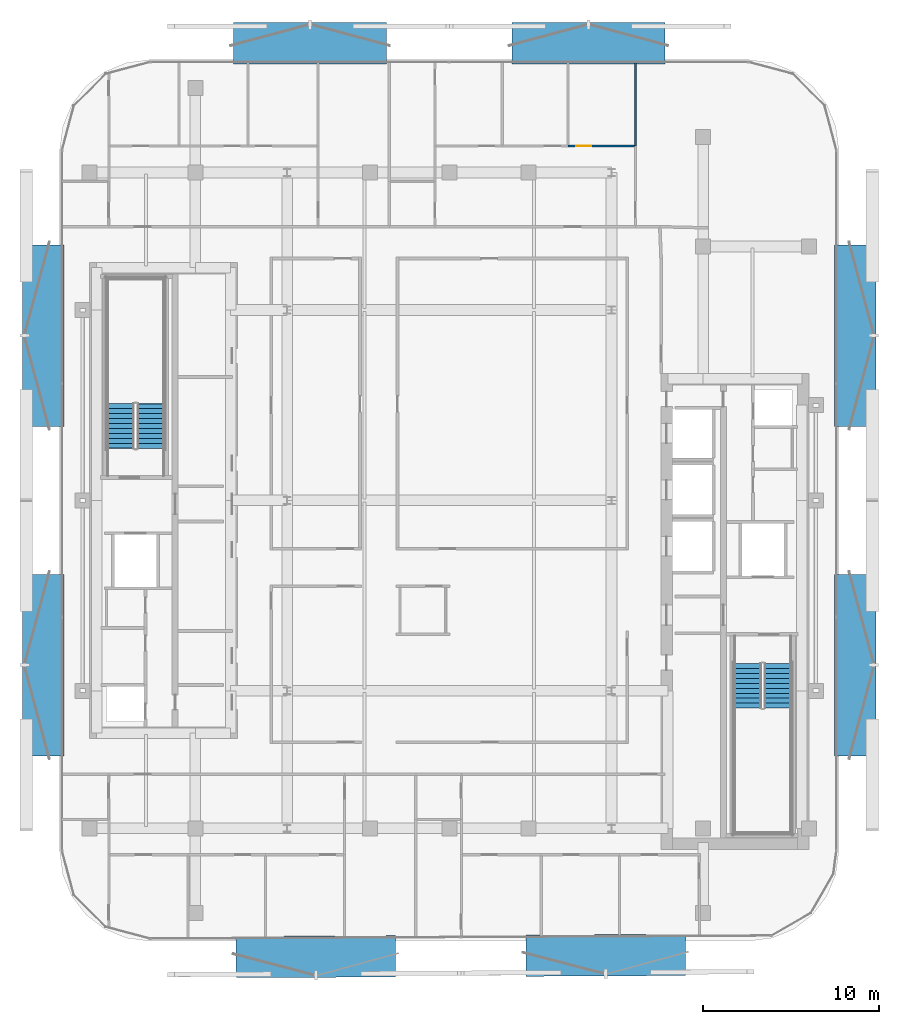
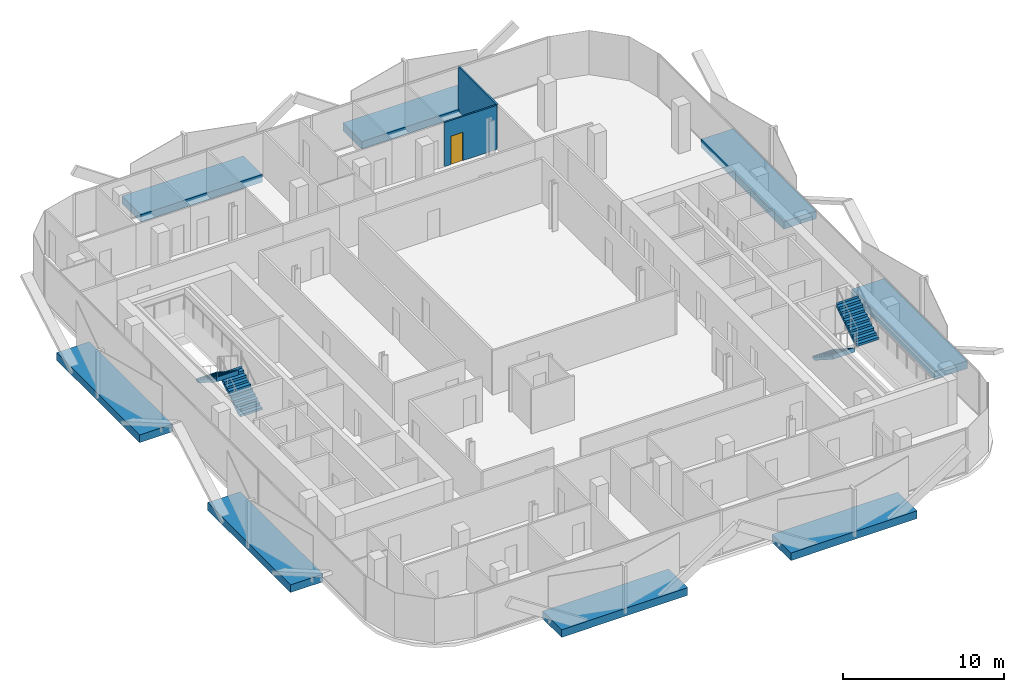
# One storey, part 7 of 14: 8 discrete accessories, 4 stair flights, 2 walls, 1 door, 1 opening, 2 elements without a shape of their own.
"""IFC4 building model written with IfcOpenShell, lengths in metres."""

from ifc_helpers import new_model, si_unit, direction, frame, frame_2d, origin, origin_2d, place, context, subcontext, project, spatial, polyline, rectangle, outline, extrude, material, layer, layer_set, type_object, element, fill, aggregate, save


model = new_model("IFC4")

# Units and contexts
model_context = context("Model", 3, precision=1e-05, world=origin(), true_north=direction((0.0, 1.0)))
body_context = subcontext(model_context, "Body", "Model", "MODEL_VIEW")
ifc_project = project(units=[si_unit("LENGTHUNIT", "METRE"), si_unit("AREAUNIT", "SQUARE_METRE"), si_unit("VOLUMEUNIT", "CUBIC_METRE"), si_unit("PLANEANGLEUNIT", "RADIAN"), si_unit("MASSUNIT", "GRAM", prefix="KILO")], contexts=[model_context])

# Site, building, storey
site_placement = place(None, origin())
site = spatial("IfcSite", under=ifc_project, at=site_placement, CompositionType="ELEMENT")
building_placement = place(site_placement, origin())
building = spatial("IfcBuilding", under=site, at=building_placement, Name="Khairoan Windgate Tower", CompositionType="ELEMENT")
storey_placement = place(building_placement, frame((0.0, 0.0, 229.60009765625)))
storey = spatial("IfcBuildingStorey", under=building, at=storey_placement, Name="L53", CompositionType="ELEMENT", Elevation=229.60009765625)

# Wall, opening, door
ifc_material_1 = material(Name="Gypsum Stud Partition", Category="gypsum")
ifc_layer_1 = layer(ifc_material_1, 0.1201171875, Name="Gypsum Stud Partition")
ifc_layer_set_1 = layer_set([ifc_layer_1], Name="Gypsum Stud Partition")
wall_type = type_object("IfcWallType", Name="Internal Room Partition Wall", PredefinedType="PARTITIONING", material=ifc_layer_set_1)
wall_1_placement = place(storey_placement, frame((6.742919921875, 20.10009765625, 0.0), z_axis=(0.0, 0.0, 1.0), x_axis=(1.0, 0.0, 0.0)))
wall_1 = element("IfcWall", 1, at=wall_1_placement, inside=storey, type_object=wall_type, Name="L53 Interior Partition 060", PredefinedType="PARTITIONING", context=body_context, shape_type="SweptSolid", body=[
    extrude(rectangle(XDim=3.757080078125, YDim=0.1201171875, at=frame_2d((1.87841796875, 0.0))), origin(), (0.0, 0.0, 1.0), 3.33984375),
])
opening_placement = place(wall_1_placement, frame((0.4599609375, 0.0, 0.0)))
opening = element("IfcOpeningElement", 2, at=opening_placement, cuts=wall_1, Name="Opening ID-RM", PredefinedType="OPENING", context=body_context, shape_type="SweptSolid", body=[
    extrude(rectangle(XDim=0.860107421875, YDim=2.14990234375, at=frame_2d((0.43017578125, 1.074951171875))), frame((0.0, 0.070068359375, 0.0), z_axis=(0.0, -1.0, 0.0), x_axis=(1.0, 0.0, 0.0)), (0.0, 0.0, 1.0), 0.14013671875),
])
ifc_material_2 = material(Name="Teak Veneer Timber Leaf", Category="wood")
door_type = type_object("IfcDoorType", Name="Internal Bedroom and Office Door ID-RM 860x2150", OperationType="NOTDEFINED", PredefinedType="DOOR", material=ifc_material_2)
door_placement = place(opening_placement, origin())
door = element("IfcDoor", 3, at=door_placement, inside=storey, type_object=door_type, Name="L53 L53-42-L53-46 Door", OperationType="SINGLE_SWING_LEFT", OverallHeight=2.14990234375, OverallWidth=0.860107421875, PredefinedType="DOOR", context=body_context, shape_type="SweptSolid", body=[
    extrude(rectangle(XDim=0.860107421875, YDim=2.14990234375, at=frame_2d((0.43017578125, 1.074951171875))), frame((0.0, 0.02490234375, 0.0), z_axis=(0.0, -1.0, 0.0), x_axis=(1.0, 0.0, 0.0)), (0.0, 0.0, 1.0), 0.050048828125),
])
fill(opening, door)

# Wall
wall_2_placement = place(storey_placement, frame((10.56005859375, 20.10009765625, 0.0), z_axis=(0.0, 0.0, 1.0), x_axis=(0.0, 1.0, 0.0)))
element("IfcWall", 4, at=wall_2_placement, inside=storey, type_object=wall_type, Name="L53 Interior Partition 061", PredefinedType="PARTITIONING", context=body_context, shape_type="SweptSolid", body=[
    extrude(rectangle(XDim=4.7548828125, YDim=0.1201171875, at=frame_2d((2.37744140625, 0.0))), origin(), (0.0, 0.0, 1.0), 3.33984375),
])

# Stair, stair flights
ifc_material_3 = material(Name="Concrete C40/50", Category="concrete")
stair_type = type_object("IfcStairType", Name="Tower Core Dog-Leg Stair ST-T1 1560mm", PredefinedType="HALF_TURN_STAIR", material=ifc_material_3)
stair_1_placement = place(storey_placement, origin())
stair_1 = element("IfcStair", 5, at=stair_1_placement, inside=storey, type_object=stair_type, Name="L53 Stair ST1", PredefinedType="HALF_TURN_STAIR")
ifc_material_4 = material(Name="Concrete C40/50", Category="concrete")
ifc_layer_2 = layer(ifc_material_4, 0.14990234375, Name="Concrete C40/50")
ifc_layer_set_2 = layer_set([ifc_layer_2], Name="Concrete C40/50")
stair_flight_type = type_object("IfcStairFlightType", Name="Tower Core Stair Flight STF-1560", PredefinedType="STRAIGHT", material=ifc_layer_set_2)
stair_flight_1_placement = place(storey_placement, frame((16.929931640625, -9.260009765625, 0.0), z_axis=(0.0, 0.0, 1.0), x_axis=(0.0, -1.0, 0.0)))
stair_flight_1 = element("IfcStairFlight", 6, at=stair_flight_1_placement, type_object=stair_flight_type, Name="ST1 flight 1", NumberOfRisers=10, NumberOfTreads=9, PredefinedType="STRAIGHT", RiserHeight=0.18, TreadLength=0.28, context=body_context, shape_type="SweptSolid", body=[
    extrude(outline(polyline([(-0.00390625, 0.0), (-0.00390625, 0.179931640625), (0.0, 0.179931640625), (0.280029296875, 0.179931640625), (0.280029296875, 0.360107421875), (0.56005859375, 0.360107421875), (0.56005859375, 0.5400390625), (0.840087890625, 0.5400390625), (0.840087890625, 0.719970703125), (1.1201171875, 0.719970703125), (1.1201171875, 0.89990234375), (1.39990234375, 0.89990234375), (1.39990234375, 1.080078125), (1.679931640625, 1.080078125), (1.679931640625, 1.260009765625), (1.9599609375, 1.260009765625), (1.9599609375, 1.43994140625), (2.239990234375, 1.43994140625), (2.239990234375, 1.6201171875), (2.52001953125, 1.6201171875), (2.52001953125, 1.800048828125), (2.52392578125, 1.800048828125), (2.52392578125, 1.44189453125), (0.277099609375, 0.0), (-0.00390625, 0.0)])), frame((0.0, 0.780029296875, 0.0), z_axis=(0.0, -1.0, 0.0), x_axis=(1.0, 0.0, 0.0)), (0.0, 0.0, 1.0), 1.56005859375),
])
stair_flight_2_placement = place(storey_placement, frame((18.639892578125, -11.780029296875, 1.7998046875), z_axis=(0.0, 0.0, 1.0), x_axis=(0.0, 1.0, 0.0)))
stair_flight_2 = element("IfcStairFlight", 7, at=stair_flight_2_placement, type_object=stair_flight_type, Name="ST1 flight 2", NumberOfRisers=10, NumberOfTreads=9, PredefinedType="STRAIGHT", RiserHeight=0.18, TreadLength=0.28, context=body_context, shape_type="SweptSolid", body=[
    extrude(outline(polyline([(-0.00390625, 0.0), (-0.00390625, 0.179931640625), (0.0, 0.179931640625), (0.280029296875, 0.179931640625), (0.280029296875, 0.360107421875), (0.56005859375, 0.360107421875), (0.56005859375, 0.5400390625), (0.840087890625, 0.5400390625), (0.840087890625, 0.719970703125), (1.1201171875, 0.719970703125), (1.1201171875, 0.89990234375), (1.39990234375, 0.89990234375), (1.39990234375, 1.080078125), (1.679931640625, 1.080078125), (1.679931640625, 1.260009765625), (1.9599609375, 1.260009765625), (1.9599609375, 1.43994140625), (2.239990234375, 1.43994140625), (2.239990234375, 1.6201171875), (2.52001953125, 1.6201171875), (2.52001953125, 1.800048828125), (2.52392578125, 1.800048828125), (2.52392578125, 1.44189453125), (0.277099609375, 0.0), (-0.00390625, 0.0)])), frame((0.0, 0.780029296875, 0.0), z_axis=(0.0, -1.0, 0.0), x_axis=(1.0, 0.0, 0.0)), (0.0, 0.0, 1.0), 1.56005859375),
])
aggregate(stair_1, [stair_flight_1, stair_flight_2])

stair_2_placement = place(storey_placement, origin())
stair_2 = element("IfcStair", 8, at=stair_2_placement, inside=storey, type_object=stair_type, Name="L53 Stair ST2", PredefinedType="HALF_TURN_STAIR")
stair_flight_3_placement = place(storey_placement, frame((-16.929931640625, 2.9599609375, 0.0), z_axis=(0.0, 0.0, 1.0), x_axis=(0.0, 1.0, 0.0)))
stair_flight_3 = element("IfcStairFlight", 9, at=stair_flight_3_placement, type_object=stair_flight_type, Name="ST2 flight 1", NumberOfRisers=10, NumberOfTreads=9, PredefinedType="STRAIGHT", RiserHeight=0.18, TreadLength=0.28, context=body_context, shape_type="SweptSolid", body=[
    extrude(outline(polyline([(-0.00390625, 0.0), (-0.00390625, 0.179931640625), (0.0, 0.179931640625), (0.280029296875, 0.179931640625), (0.280029296875, 0.360107421875), (0.56005859375, 0.360107421875), (0.56005859375, 0.5400390625), (0.840087890625, 0.5400390625), (0.840087890625, 0.719970703125), (1.1201171875, 0.719970703125), (1.1201171875, 0.89990234375), (1.39990234375, 0.89990234375), (1.39990234375, 1.080078125), (1.679931640625, 1.080078125), (1.679931640625, 1.260009765625), (1.9599609375, 1.260009765625), (1.9599609375, 1.43994140625), (2.239990234375, 1.43994140625), (2.239990234375, 1.6201171875), (2.52001953125, 1.6201171875), (2.52001953125, 1.800048828125), (2.52392578125, 1.800048828125), (2.52392578125, 1.44189453125), (0.277099609375, 0.0), (-0.00390625, 0.0)])), frame((0.0, 0.780029296875, 0.0), z_axis=(0.0, -1.0, 0.0), x_axis=(1.0, 0.0, 0.0)), (0.0, 0.0, 1.0), 1.56005859375),
])
stair_flight_4_placement = place(storey_placement, frame((-18.639892578125, 5.47998046875, 1.7998046875), z_axis=(0.0, 0.0, 1.0), x_axis=(0.0, -1.0, 0.0)))
stair_flight_4 = element("IfcStairFlight", 10, at=stair_flight_4_placement, type_object=stair_flight_type, Name="ST2 flight 2", NumberOfRisers=10, NumberOfTreads=9, PredefinedType="STRAIGHT", RiserHeight=0.18, TreadLength=0.28, context=body_context, shape_type="SweptSolid", body=[
    extrude(outline(polyline([(-0.00390625, 0.0), (-0.00390625, 0.179931640625), (0.0, 0.179931640625), (0.280029296875, 0.179931640625), (0.280029296875, 0.360107421875), (0.56005859375, 0.360107421875), (0.56005859375, 0.5400390625), (0.840087890625, 0.5400390625), (0.840087890625, 0.719970703125), (1.1201171875, 0.719970703125), (1.1201171875, 0.89990234375), (1.39990234375, 0.89990234375), (1.39990234375, 1.080078125), (1.679931640625, 1.080078125), (1.679931640625, 1.260009765625), (1.9599609375, 1.260009765625), (1.9599609375, 1.43994140625), (2.239990234375, 1.43994140625), (2.239990234375, 1.6201171875), (2.52001953125, 1.6201171875), (2.52001953125, 1.800048828125), (2.52392578125, 1.800048828125), (2.52392578125, 1.44189453125), (0.277099609375, 0.0), (-0.00390625, 0.0)])), frame((0.0, 0.780029296875, 0.0), z_axis=(0.0, -1.0, 0.0), x_axis=(1.0, 0.0, 0.0)), (0.0, 0.0, 1.0), 1.56005859375),
])
aggregate(stair_2, [stair_flight_3, stair_flight_4])

# Discrete accessories
ifc_material_5 = material(Name="Steel S355", Category="steel")
discrete_accessory_type = type_object("IfcDiscreteAccessoryType", Name="Solar Screen Outrigger Slab Bracket SSB-1", PredefinedType="BRACKET", material=ifc_material_5)
for number, where, z_axis, x_axis, name in (
    (11, (8.8701171875, -25.80517578125, -0.420166015625), (0.0, 0.0, 1.0), (-0.999988059021, -0.004886902454, 0.0), "L53 Solar Screen Outrigger Bracket 353"),
    (12, (-7.567138671875, -25.884521484375, -0.420166015625), (0.0, 0.0, 1.0), (-0.999988059021, -0.004886902454, 0.0), "L53 Solar Screen Outrigger Bracket 354"),
):
    element("IfcDiscreteAccessory", number, at=place(storey_placement, frame(where, z_axis=z_axis, x_axis=x_axis)), inside=storey, type_object=discrete_accessory_type, Name=name, PredefinedType="BRACKET", context=body_context, shape_type="SweptSolid", body=[
        extrude(rectangle(XDim=9.041015625, YDim=2.340087890625, at=origin_2d()), origin(), (0.0, 0.0, 1.0), 0.580078125),
    ])
for number, where, z_axis, x_axis, name in (
    (13, (-23.030029296875, -9.345458984375, -0.420166015625), (0.0, 0.0, 1.0), (0.0, 1.0, 0.0), "L53 Solar Screen Outrigger Bracket 355"),
    (14, (-23.030029296875, 9.345458984375, -0.420166015625), (0.0, 0.0, 1.0), (0.0, 1.0, 0.0), "L53 Solar Screen Outrigger Bracket 356"),
):
    element("IfcDiscreteAccessory", number, at=place(storey_placement, frame(where, z_axis=z_axis, x_axis=x_axis)), inside=storey, type_object=discrete_accessory_type, Name=name, PredefinedType="BRACKET", context=body_context, shape_type="SweptSolid", body=[
        extrude(rectangle(XDim=10.280029296875, YDim=2.340087890625, at=origin_2d()), origin(), (0.0, 0.0, 1.0), 0.580078125),
    ])
for number, where, z_axis, x_axis, name in (
    (15, (-7.8955078125, 25.929931640625, -0.420166015625), (0.0, 0.0, 1.0), (1.0, 0.0, 0.0), "L53 Solar Screen Outrigger Bracket 357"),
    (16, (7.8955078125, 25.929931640625, -0.420166015625), (0.0, 0.0, 1.0), (1.0, 0.0, 0.0), "L53 Solar Screen Outrigger Bracket 358"),
):
    element("IfcDiscreteAccessory", number, at=place(storey_placement, frame(where, z_axis=z_axis, x_axis=x_axis)), inside=storey, type_object=discrete_accessory_type, Name=name, PredefinedType="BRACKET", context=body_context, shape_type="SweptSolid", body=[
        extrude(rectangle(XDim=8.68505859375, YDim=2.340087890625, at=origin_2d()), origin(), (0.0, 0.0, 1.0), 0.580078125),
    ])
for number, where, z_axis, x_axis, name in (
    (17, (23.030029296875, 9.345458984375, -0.420166015625), (0.0, 0.0, 1.0), (0.0, -1.0, 0.0), "L53 Solar Screen Outrigger Bracket 359"),
    (18, (23.030029296875, -9.345458984375, -0.420166015625), (0.0, 0.0, 1.0), (0.0, -1.0, 0.0), "L53 Solar Screen Outrigger Bracket 360"),
):
    element("IfcDiscreteAccessory", number, at=place(storey_placement, frame(where, z_axis=z_axis, x_axis=x_axis)), inside=storey, type_object=discrete_accessory_type, Name=name, PredefinedType="BRACKET", context=body_context, shape_type="SweptSolid", body=[
        extrude(rectangle(XDim=10.280029296875, YDim=2.340087890625, at=origin_2d()), origin(), (0.0, 0.0, 1.0), 0.580078125),
    ])

save(model, "model.ifc")
